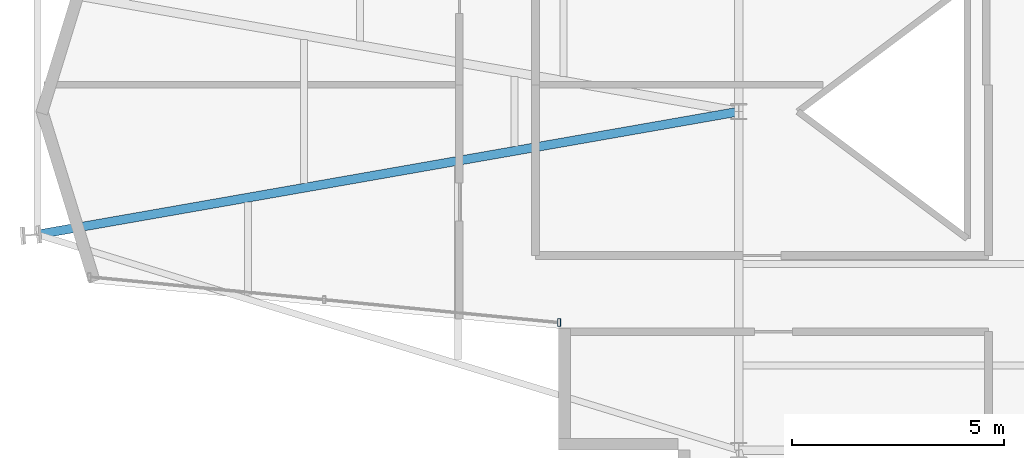
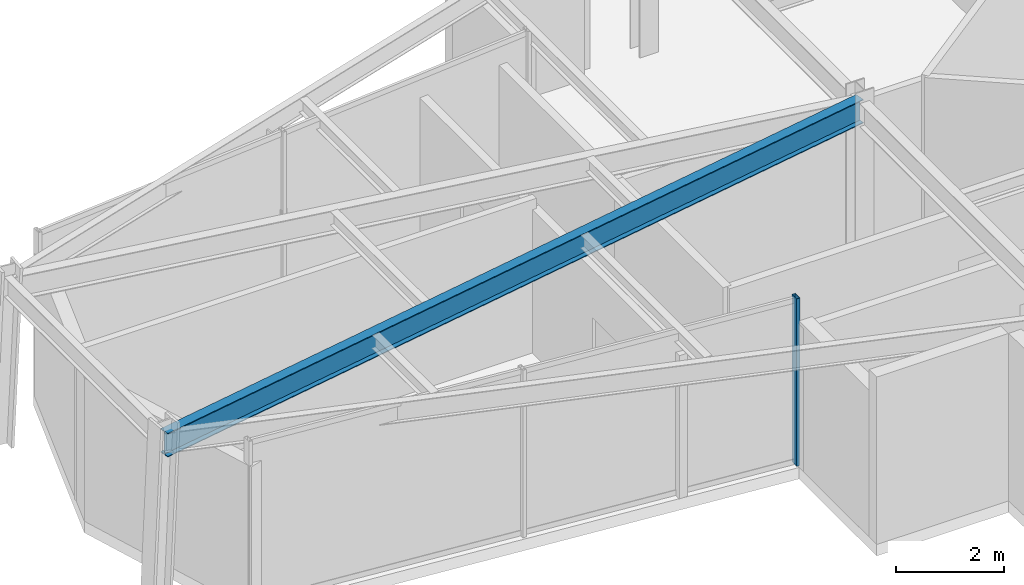
# One storey, part 4 of 20: 1 beam, 1 member, 1 element without a shape of its own.
"""IFC4 building model written with IfcOpenShell, lengths in metres."""

from ifc_helpers import new_model, si_unit, direction, frame, origin, origin_2d, place, context, subcontext, project, spatial, hollow_rectangle, i_section, extrude, material, layer, layer_set, material_profile, profile_set, type_object, element, aggregate, save


model = new_model("IFC4")

# Units and contexts
model_context = context("Model", 3, precision=1e-05, world=origin(), true_north=direction((0.0, 1.0)))
body_context = subcontext(model_context, "Body", "Model", "MODEL_VIEW")
ifc_project = project(units=[si_unit("LENGTHUNIT", "METRE"), si_unit("AREAUNIT", "SQUARE_METRE"), si_unit("VOLUMEUNIT", "CUBIC_METRE"), si_unit("PLANEANGLEUNIT", "RADIAN"), si_unit("MASSUNIT", "GRAM", prefix="KILO")], contexts=[model_context])

# Site, building, storey
site_placement = place(None, origin())
site = spatial("IfcSite", under=ifc_project, at=site_placement, CompositionType="ELEMENT")
building_placement = place(site_placement, origin())
building = spatial("IfcBuilding", under=site, at=building_placement, Name="Veymaron Broadcast Tower", CompositionType="ELEMENT")
storey_placement = place(building_placement, frame((0.0, 0.0, 248.550048828125)))
storey = spatial("IfcBuildingStorey", under=building, at=storey_placement, Name="L58", CompositionType="ELEMENT", Elevation=248.550048828125)

# Beam
ifc_material_1 = material(Name="Structural steel ASTM A992 Gr 50", Category="steel")
ifc_material_profile_1 = material_profile(ifc_material_1, i_section(OverallWidth=0.2099609375, OverallDepth=0.537109375, WebThickness=0.010986328125, FlangeThickness=0.017333984375, at=origin_2d()), Name="W530X101")
ifc_profile_set_1 = profile_set([ifc_material_profile_1], Name="Structural steel ASTM A992 Gr 50")
beam_type = type_object("IfcBeamType", Name="BM-FG3", PredefinedType="BEAM", material=ifc_profile_set_1)
beam_placement = place(storey_placement, frame((14.631103515625, 21.094970703125, 3.521484375), z_axis=(0.984975090748, 0.172696469584, 0.0), x_axis=(-0.172696469584, 0.984975090748, 0.0)))
element("IfcBeam", 1, at=beam_placement, inside=storey, type_object=beam_type, Name="L58 primary structural floor girder", PredefinedType="BEAM", context=body_context, shape_type="SweptSolid", body=[
    extrude(i_section(OverallWidth=0.2099609375, OverallDepth=0.537109375, WebThickness=0.010986328125, FlangeThickness=0.017333984375, at=origin_2d()), origin(), (0.0, 0.0, 1.0), 16.821533203125),
])

# Curtain wall, member
ifc_material_2 = material(Name="Anodised aluminium AA 6063-T6 and laminated low-E dark glass", Category="aluminium")
ifc_layer = layer(ifc_material_2, 0.179931640625)
ifc_layer_set = layer_set([ifc_layer], Name="Anodised aluminium AA 6063-T6 and laminated low-E dark glass")
curtain_wall_type = type_object("IfcCurtainWallType", Name="CW-SYS-05", PredefinedType="NOTDEFINED", material=ifc_layer_set)
curtain_wall_placement = place(storey_placement, origin())
curtain_wall = element("IfcCurtainWall", 2, at=curtain_wall_placement, inside=storey, type_object=curtain_wall_type, Name="L58 dark-glass curtain wall CW-L58-E14-1", PredefinedType="NOTDEFINED")
ifc_material_3 = material(Name="Anodised aluminium AA 6063-T6", Category="aluminium")
ifc_material_profile_2 = material_profile(ifc_material_3, hollow_rectangle(XDim=0.074951171875, YDim=0.179931640625, WallThickness=0.0048828125, at=origin_2d()), Name="AL180X75X5")
ifc_profile_set_2 = profile_set([ifc_material_profile_2], Name="Anodised aluminium AA 6063-T6")
member_type = type_object("IfcMemberType", Name="CW-MUL-02", PredefinedType="MULLION", material=ifc_profile_set_2)
member_placement = place(storey_placement, frame((26.9560546875, 19.015625, 0.0), z_axis=(0.0, 0.0, 1.0), x_axis=(1.0, 0.0, 0.0)))
member = element("IfcMember", 3, at=member_placement, type_object=member_type, Name="CW-L58-E14-1 mullion 2", PredefinedType="MULLION", context=body_context, shape_type="SweptSolid", body=[
    extrude(hollow_rectangle(XDim=0.074951171875, YDim=0.179931640625, WallThickness=0.0048828125, at=origin_2d()), origin(), (0.0, 0.0, 1.0), 3.7900390625),
])
aggregate(curtain_wall, [member])

save(model, "model.ifc")
